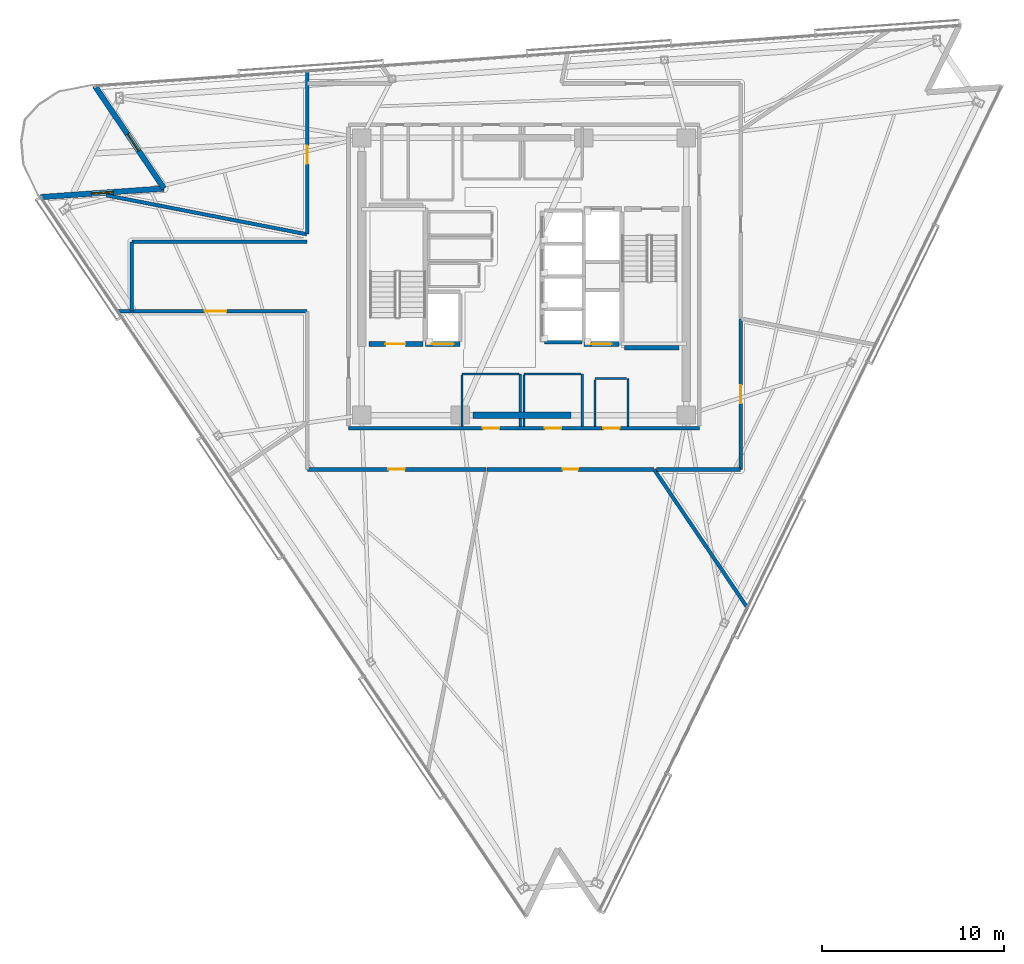
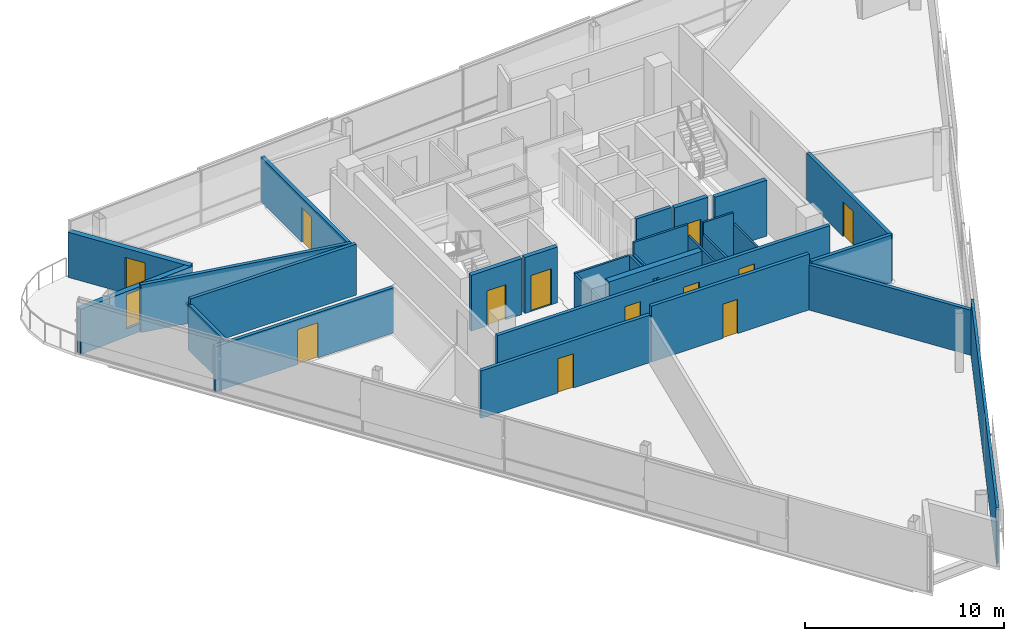
# One storey, part 9 of 16: 31 walls, 12 doors, 1 window, 13 openings.
"""IFC4 building model written with IfcOpenShell, lengths in metres."""

import ifcopenshell
import ifcopenshell.guid

model = None  # the IFC model being written
_history = None  # IfcOwnerHistory: only IFC2X3 demands one
_inside = {}  # id of a spatial element -> (the spatial element, [elements in it])
_under = {}  # id of a project, library or spatial element -> (it, [spatial elements below it])
_declared = {}  # id of a project -> (the project, [libraries it declares])
_typed = {}  # id of a type object -> (the type object, [elements of that type])
_made_of = {}  # id of a material, layer set ... -> (it, [elements and type objects made of it])


def new_model(schema):
    """Start an empty IFC model of exactly this schema.

    Asked for "IFC4X3", IfcOpenShell would pick the latest addendum, in which some entities
    have other attributes; the version numbers below select the first issue.
    IFC2X3 requires an IfcOwnerHistory on every rooted entity: one is made here for all.
    """
    global model, _history
    if schema == "IFC4X3":
        model = ifcopenshell.file(schema_version=(4, 3, 0, 0))
    else:
        model = ifcopenshell.file(schema=schema)
    _inside.clear()
    _under.clear()
    _declared.clear()
    _typed.clear()
    _made_of.clear()
    _history = None
    if model.schema == "IFC2X3":
        org = make("IfcOrganization", Name="unknown")
        user = make(
            "IfcPersonAndOrganization",
            ThePerson=make("IfcPerson", FamilyName="unknown"),
            TheOrganization=org,
        )
        app = make(
            "IfcApplication",
            ApplicationDeveloper=org,
            Version="unknown",
            ApplicationFullName="unknown",
            ApplicationIdentifier="unknown",
        )
        _history = make(
            "IfcOwnerHistory",
            OwningUser=user,
            OwningApplication=app,
            ChangeAction="ADDED",
            CreationDate=0,
        )
    return model


def make(cls, **values):
    """One entity of the class cls with the attributes given. An attribute that is None is left unset."""
    return model.create_entity(
        cls, **{name: value for name, value in values.items() if value is not None}
    )


def rooted(cls, **values):
    """An entity with a GlobalId (a new one), such as an element, a storey or a relation."""
    return make(cls, GlobalId=ifcopenshell.guid.new(), OwnerHistory=_history, **values)


def si_unit(unit_type, name, prefix=None):
    """IfcSIUnit, for example si_unit("LENGTHUNIT", "METRE", prefix="MILLI")."""
    return make("IfcSIUnit", UnitType=unit_type, Prefix=prefix, Name=name)


def assignment(units):
    """IfcUnitAssignment: the units of a project."""
    return None if units is None else make("IfcUnitAssignment", Units=units)


def point(xyz):
    """IfcCartesianPoint."""
    return None if xyz is None else make("IfcCartesianPoint", Coordinates=xyz)


def direction(xyz):
    """IfcDirection."""
    return None if xyz is None else make("IfcDirection", DirectionRatios=xyz)


def frame(location, z_axis=None, x_axis=None):
    """IfcAxis2Placement3D, a coordinate frame: its origin and axes. An axis left out is left unset."""
    return make(
        "IfcAxis2Placement3D",
        Location=point(location),
        Axis=direction(z_axis),
        RefDirection=direction(x_axis),
    )


def frame_2d(location, x_axis=None):
    """IfcAxis2Placement2D, a coordinate frame in the plane: its origin and x axis."""
    return make(
        "IfcAxis2Placement2D", Location=point(location), RefDirection=direction(x_axis)
    )


def origin():
    """The frame at (0, 0, 0) with its axes left unset."""
    return frame((0.0, 0.0, 0.0))


def place(relative_to, where):
    """IfcLocalPlacement: puts the frame where relative to a parent placement (None: the world)."""
    return make(
        "IfcLocalPlacement", PlacementRelTo=relative_to, RelativePlacement=where
    )


def context(
    kind, dimensions, precision=None, world=None, true_north=None, identifier=None
):
    """IfcGeometricRepresentationContext, for example the 3D "Model" context."""
    return make(
        "IfcGeometricRepresentationContext",
        ContextIdentifier=identifier,
        ContextType=kind,
        CoordinateSpaceDimension=dimensions,
        Precision=precision,
        WorldCoordinateSystem=world,
        TrueNorth=true_north,
    )


def subcontext(parent, identifier, kind, view, scale=None):
    """IfcGeometricRepresentationSubContext, for example "Body" below "Model"."""
    return make(
        "IfcGeometricRepresentationSubContext",
        ContextIdentifier=identifier,
        ContextType=kind,
        ParentContext=parent,
        TargetScale=scale,
        TargetView=view,
    )


def project(units=None, contexts=None):
    """IfcProject with its units and contexts."""
    return rooted(
        "IfcProject",
        Name="project",
        RepresentationContexts=contexts,
        UnitsInContext=assignment(units),
    )


def spatial(cls, under=None, at=None, **own):
    """A site, building, storey or space (cls), placed at a placement, below another one or the project."""
    s = rooted(cls, ObjectPlacement=at, **own)
    if under is not None:
        _under.setdefault(under.id(), (under, []))[1].append(s)
    return s


def profile(cls, at=None, kind="AREA", **sizes):
    """A parametric profile (cls). Its sizes go by their IFC names, for example OverallWidth=200.0."""
    return make(cls, ProfileType=kind, Position=at, **sizes)


def rectangle(**sizes):
    """IfcRectangleProfileDef."""
    return profile("IfcRectangleProfileDef", **sizes)


def extrude(swept, where, along, depth):
    """IfcExtrudedAreaSolid: the profile swept, set in the frame where, extruded along a direction by depth."""
    return make(
        "IfcExtrudedAreaSolid",
        SweptArea=swept,
        Position=where,
        ExtrudedDirection=direction(along),
        Depth=depth,
    )


def shape(context_of_items, identifier, shape_type, items):
    """IfcShapeRepresentation: the items that make up one representation, for example the "Body"."""
    return make(
        "IfcShapeRepresentation",
        ContextOfItems=context_of_items,
        RepresentationIdentifier=identifier,
        RepresentationType=shape_type,
        Items=items,
    )


def material(Name=None, Category=None):
    """IfcMaterial."""
    return make("IfcMaterial", Name=Name, Category=Category)


def layer(
    of_material, thickness, ventilated=None, Name=None, Category=None, Priority=None
):
    """IfcMaterialLayer: one layer of a wall or slab, of a material (None: an air gap)."""
    return make(
        "IfcMaterialLayer",
        Material=of_material,
        LayerThickness=thickness,
        IsVentilated=ventilated,
        Name=Name,
        Category=Category,
        Priority=Priority,
    )


def layer_set(layers, Name=None):
    """IfcMaterialLayerSet."""
    return make("IfcMaterialLayerSet", MaterialLayers=layers, LayerSetName=Name)


def made_of(thing, what):
    """Note that an element or type object is made of a material, layer set ...; save() writes the relation."""
    if what is not None:
        _made_of.setdefault(what.id(), (what, []))[1].append(thing)
    return thing


def type_object(cls, material=None, **own):
    """A type object (cls), such as IfcWallType, which elements share."""
    return made_of(rooted(cls, **own), material)


def element(
    cls,
    number,
    at=None,
    inside=None,
    cuts=None,
    type_object=None,
    material=None,
    context=None,
    identifier="Body",
    shape_type=None,
    held_by="IfcProductDefinitionShape",
    body=None,
    shapes=None,
    **own,
):
    """One element of the class cls, such as IfcWall. Its Tag is "e" and its number.

    at: its placement. inside: the storey or other place that contains it. cuts: it is an
    opening in that element (IfcRelVoidsElement). A single representation is given by context,
    identifier, shape_type and body (its items); several are given by shapes. held_by: the class
    of the entity that holds the representations. save() writes the other relations.
    """
    e = rooted(cls, Tag="e%d" % number, ObjectPlacement=at, **own)
    if body is not None:
        shapes = [shape(context, identifier, shape_type, body)]
    if shapes is not None:
        e.Representation = make(held_by, Representations=shapes)
    if inside is not None:
        _inside.setdefault(inside.id(), (inside, []))[1].append(e)
    if cuts is not None:
        rooted(
            "IfcRelVoidsElement", RelatingBuildingElement=cuts, RelatedOpeningElement=e
        )
    if type_object is not None:
        _typed.setdefault(type_object.id(), (type_object, []))[1].append(e)
    return made_of(e, material)


def fill(opening, filler):
    """IfcRelFillsElement: the door or window that sits in an opening."""
    return rooted(
        "IfcRelFillsElement",
        RelatingOpeningElement=opening,
        RelatedBuildingElement=filler,
    )


def aggregate(whole, parts):
    """IfcRelAggregates: a whole, such as a stair, and the parts it consists of."""
    return rooted("IfcRelAggregates", RelatingObject=whole, RelatedObjects=parts)


def save(model, path):
    """Write the relations noted so far, then the file.

    IfcRelAggregates (storeys below a building ...), IfcRelContainedInSpatialStructure (elements
    in a storey), IfcRelDefinesByType, IfcRelAssociatesMaterial and IfcRelDeclares: one each for
    every whole, place, type object, material and project.
    """
    for whole, parts in _under.values():
        aggregate(whole, parts)
    for where, things in _inside.values():
        rooted(
            "IfcRelContainedInSpatialStructure",
            RelatedElements=things,
            RelatingStructure=where,
        )
    for kind, things in _typed.values():
        rooted("IfcRelDefinesByType", RelatedObjects=things, RelatingType=kind)
    for what, things in _made_of.values():
        rooted("IfcRelAssociatesMaterial", RelatedObjects=things, RelatingMaterial=what)
    for by, libraries in _declared.values():
        rooted("IfcRelDeclares", RelatingContext=by, RelatedDefinitions=libraries)
    model.write(path)


model = new_model("IFC4")

# Units and contexts
model_context = context("Model", 3, precision=1e-05, world=origin(), true_north=direction((0.0, 1.0)))
body_context = subcontext(model_context, "Body", "Model", "MODEL_VIEW")
ifc_project = project(units=[si_unit("LENGTHUNIT", "METRE"), si_unit("AREAUNIT", "SQUARE_METRE"), si_unit("VOLUMEUNIT", "CUBIC_METRE"), si_unit("PLANEANGLEUNIT", "RADIAN"), si_unit("MASSUNIT", "GRAM", prefix="KILO")], contexts=[model_context])

# Site, building, storey
site_placement = place(None, origin())
site = spatial("IfcSite", under=ifc_project, at=site_placement, CompositionType="ELEMENT")
building_placement = place(site_placement, origin())
building = spatial("IfcBuilding", under=site, at=building_placement, Name="Tharavind Bronze Gate", CompositionType="ELEMENT")
storey_placement = place(building_placement, frame((0.0, 0.0, 264.199951171875)))
storey = spatial("IfcBuildingStorey", under=building, at=storey_placement, Name="L68", CompositionType="ELEMENT", Elevation=264.199951171875)

# Wall, opening, door
ifc_material_1 = material(Name="Concrete C40/50", Category="concrete")
ifc_layer_1 = layer(ifc_material_1, 0.300048828125)
ifc_layer_set_1 = layer_set([ifc_layer_1], Name="Concrete C40/50")
wall_type_1 = type_object("IfcWallType", Name="EXTERIOR SPANDREL WALL 300", PredefinedType="STANDARD", material=ifc_layer_set_1)
wall_1_placement = place(storey_placement, frame((-23.52587890625, 10.446044921875, 0.0), z_axis=(0.0, 0.0, 1.0), x_axis=(0.559187716425, -0.829041071238, 0.0)))
wall_1 = element("IfcWall", 1, at=wall_1_placement, inside=storey, type_object=wall_type_1, Name="L68 notch cheek wall 1A", PredefinedType="STANDARD", context=body_context, shape_type="SweptSolid", body=[
    extrude(rectangle(XDim=6.780029296875, YDim=0.300048828125, at=frame_2d((3.39013671875, 0.0))), origin(), (0.0, 0.0, 1.0), 2.76513671875),
])
opening_1_placement = place(wall_1_placement, frame((3.18603515625, 0.0, 0.0)))
opening_1 = element("IfcOpeningElement", 2, at=opening_1_placement, cuts=wall_1, Name="Opening ED04", PredefinedType="OPENING", context=body_context, shape_type="SweptSolid", body=[
    extrude(rectangle(XDim=1.10009765625, YDim=2.199951171875, at=frame_2d((0.550048828125, 1.10009765625))), frame((0.0, 0.15990234375, 0.0), z_axis=(0.0, -1.0, 0.0), x_axis=(1.0, 0.0, 0.0)), (0.0, 0.0, 1.0), 0.320048828125),
])
ifc_material_2 = material(Name="Bronze Aluminium & Toughened Glass", Category="aluminium")
door_type_1 = type_object("IfcDoorType", Name="TREE BALCONY ACCESS DOOR 1100X2200", OperationType="SINGLE_SWING_LEFT", PredefinedType="DOOR", material=ifc_material_2)
door_1_placement = place(opening_1_placement, origin())
door_1 = element("IfcDoor", 3, at=door_1_placement, inside=storey, type_object=door_type_1, Name="L68 tree balcony access door", OperationType="SINGLE_SWING_LEFT", OverallHeight=2.199951171875, OverallWidth=1.10009765625, PredefinedType="DOOR", context=body_context, shape_type="SweptSolid", body=[
    extrude(rectangle(XDim=1.10009765625, YDim=2.199951171875, at=frame_2d((0.550048828125, 1.10009765625))), frame((0.0, 0.02490234375, 0.0), z_axis=(0.0, -1.0, 0.0), x_axis=(1.0, 0.0, 0.0)), (0.0, 0.0, 1.0), 0.050048828125),
])
fill(opening_1, door_1)

# Wall, opening, window
wall_2_placement = place(storey_placement, frame((-19.734619140625, 4.8251953125, 0.0), z_axis=(0.0, 0.0, 1.0), x_axis=(-0.997564507468, -0.06974993506, 0.0)))
wall_2 = element("IfcWall", 4, at=wall_2_placement, inside=storey, type_object=wall_type_1, Name="L68 notch cheek wall 1B", PredefinedType="STANDARD", context=body_context, shape_type="SweptSolid", body=[
    extrude(rectangle(XDim=6.780029296875, YDim=0.300048828125, at=frame_2d((3.39013671875, 0.0))), origin(), (0.0, 0.0, 1.0), 2.76513671875),
])
opening_2_placement = place(wall_2_placement, frame((2.7900390625, 0.0, 0.485107421875)))
opening_2 = element("IfcOpeningElement", 5, at=opening_2_placement, cuts=wall_2, Name="Opening W01", PredefinedType="OPENING", context=body_context, shape_type="SweptSolid", body=[
    extrude(rectangle(XDim=1.199951171875, YDim=2.10009765625, at=frame_2d((0.60009765625, 1.050048828125))), frame((0.0, 0.15990234375, 0.0), z_axis=(0.0, -1.0, 0.0), x_axis=(1.0, 0.0, 0.0)), (0.0, 0.0, 1.0), 0.320048828125),
])
ifc_material_3 = material(Name="Bronze Aluminium & Low-E Glass", Category="aluminium")
window_type = type_object("IfcWindowType", Name="FIXED BRONZE CASEMENT WINDOW 1200X2100", PartitioningType="SINGLE_PANEL", PredefinedType="WINDOW", material=ifc_material_3)
window_placement = place(opening_2_placement, origin())
window = element("IfcWindow", 6, at=window_placement, inside=storey, type_object=window_type, Name="L68 exterior window WL-L68-NCA1-01", OverallHeight=2.10009765625, OverallWidth=1.199951171875, PartitioningType="SINGLE_PANEL", PredefinedType="WINDOW", context=body_context, shape_type="SweptSolid", body=[
    extrude(rectangle(XDim=1.199951171875, YDim=2.10009765625, at=frame_2d((0.60009765625, 1.050048828125))), frame((0.0, 0.030029296875, 0.0), z_axis=(0.0, -1.0, 0.0), x_axis=(1.0, 0.0, 0.0)), (0.0, 0.0, 1.0), 0.06005859375),
])
fill(opening_2, window)

# Wall, openings, doors
ifc_material_4 = material(Name="Aerated Concrete Block", Category="concrete")
ifc_layer_2 = layer(ifc_material_4, 0.199951171875)
ifc_layer_set_2 = layer_set([ifc_layer_2], Name="Aerated Concrete Block")
wall_type_2 = type_object("IfcWallType", Name="FIRE RATED PARTITION 200", PredefinedType="PARTITIONING", material=ifc_layer_set_2)
wall_3_placement = place(storey_placement, frame((-9.6201171875, -8.320068359375, 0.0), z_axis=(0.0, 0.0, 1.0), x_axis=(1.0, 0.0, 0.0)))
wall_3 = element("IfcWall", 7, at=wall_3_placement, inside=storey, type_object=wall_type_2, Name="L68 south core corridor wall", PredefinedType="PARTITIONING", context=body_context, shape_type="SweptSolid", body=[
    extrude(rectangle(XDim=19.240234375, YDim=0.199951171875, at=frame_2d((9.6201171875, 0.0))), origin(), (0.0, 0.0, 1.0), 2.9150390625),
])
opening_3_placement = place(wall_3_placement, frame((7.3701171875, 0.0, 0.0)))
opening_3 = element("IfcOpeningElement", 8, at=opening_3_placement, cuts=wall_3, Name="Opening ID07", PredefinedType="OPENING", context=body_context, shape_type="SweptSolid", body=[
    extrude(rectangle(XDim=0.89990234375, YDim=2.10009765625, at=frame_2d((0.449951171875, 1.050048828125))), frame((0.0, 0.11009765625, 0.0), z_axis=(0.0, -1.0, 0.0), x_axis=(1.0, 0.0, 0.0)), (0.0, 0.0, 1.0), 0.219951171875),
])
opening_4_placement = place(wall_3_placement, frame((10.77001953125, 0.0, 0.0)))
opening_4 = element("IfcOpeningElement", 9, at=opening_4_placement, cuts=wall_3, Name="Opening ID07", PredefinedType="OPENING", context=body_context, shape_type="SweptSolid", body=[
    extrude(rectangle(XDim=0.89990234375, YDim=2.10009765625, at=frame_2d((0.449951171875, 1.050048828125))), frame((0.0, 0.11009765625, 0.0), z_axis=(0.0, -1.0, 0.0), x_axis=(1.0, 0.0, 0.0)), (0.0, 0.0, 1.0), 0.219951171875),
])
opening_5_placement = place(wall_3_placement, frame((13.969970703125, 0.0, 0.0)))
opening_5 = element("IfcOpeningElement", 10, at=opening_5_placement, cuts=wall_3, Name="Opening ID07", PredefinedType="OPENING", context=body_context, shape_type="SweptSolid", body=[
    extrude(rectangle(XDim=0.89990234375, YDim=2.10009765625, at=frame_2d((0.449951171875, 1.050048828125))), frame((0.0, 0.11009765625, 0.0), z_axis=(0.0, -1.0, 0.0), x_axis=(1.0, 0.0, 0.0)), (0.0, 0.0, 1.0), 0.219951171875),
])
ifc_material_5 = material(Name="Galvanised Fire Steel", Category="steel")
door_type_2 = type_object("IfcDoorType", Name="PLANT AND RISER FIRE DOOR 900X2100", OperationType="SINGLE_SWING_LEFT", PredefinedType="DOOR", material=ifc_material_5)
door_2_placement = place(opening_3_placement, frame((0.89990234375, 0.0, 0.0), z_axis=(0.0, 0.0, 1.0), x_axis=(-1.0, 0.0, 0.0)))
door_2 = element("IfcDoor", 11, at=door_2_placement, inside=storey, type_object=door_type_2, Name="L68 Core Archive Store fire door", OperationType="SINGLE_SWING_LEFT", OverallHeight=2.10009765625, OverallWidth=0.89990234375, PredefinedType="DOOR", context=body_context, shape_type="SweptSolid", body=[
    extrude(rectangle(XDim=0.89990234375, YDim=2.10009765625, at=frame_2d((0.449951171875, 1.050048828125))), frame((0.0, 0.02490234375, 0.0), z_axis=(0.0, -1.0, 0.0), x_axis=(1.0, 0.0, 0.0)), (0.0, 0.0, 1.0), 0.050048828125),
])
fill(opening_3, door_2)
door_3_placement = place(opening_4_placement, frame((0.89990234375, 0.0, 0.0), z_axis=(0.0, 0.0, 1.0), x_axis=(-1.0, 0.0, 0.0)))
door_3 = element("IfcDoor", 12, at=door_3_placement, inside=storey, type_object=door_type_2, Name="L68 Core Server Room fire door", OperationType="SINGLE_SWING_LEFT", OverallHeight=2.10009765625, OverallWidth=0.89990234375, PredefinedType="DOOR", context=body_context, shape_type="SweptSolid", body=[
    extrude(rectangle(XDim=0.89990234375, YDim=2.10009765625, at=frame_2d((0.449951171875, 1.050048828125))), frame((0.0, 0.02490234375, 0.0), z_axis=(0.0, -1.0, 0.0), x_axis=(1.0, 0.0, 0.0)), (0.0, 0.0, 1.0), 0.050048828125),
])
fill(opening_4, door_3)
door_4_placement = place(opening_5_placement, frame((0.89990234375, 0.0, 0.0), z_axis=(0.0, 0.0, 1.0), x_axis=(-1.0, 0.0, 0.0)))
door_4 = element("IfcDoor", 13, at=door_4_placement, inside=storey, type_object=door_type_2, Name="L68 Janitor Store Cupboard fire door", OperationType="SINGLE_SWING_LEFT", OverallHeight=2.10009765625, OverallWidth=0.89990234375, PredefinedType="DOOR", context=body_context, shape_type="SweptSolid", body=[
    extrude(rectangle(XDim=0.89990234375, YDim=2.10009765625, at=frame_2d((0.449951171875, 1.050048828125))), frame((0.0, 0.02490234375, 0.0), z_axis=(0.0, -1.0, 0.0), x_axis=(1.0, 0.0, 0.0)), (0.0, 0.0, 1.0), 0.050048828125),
])
fill(opening_5, door_4)

# Wall, opening, door
wall_4_placement = place(storey_placement, frame((-2.035888671875, -10.580078125, 0.0), z_axis=(0.0, 0.0, 1.0), x_axis=(1.0, 0.0, 0.0)))
wall_4 = element("IfcWall", 14, at=wall_4_placement, inside=storey, type_object=wall_type_2, Name="L68 Public Restrooms Block partition", PredefinedType="PARTITIONING", context=body_context, shape_type="SweptSolid", body=[
    extrude(rectangle(XDim=9.158935546875, YDim=0.199951171875, at=frame_2d((4.57958984375, 0.0))), origin(), (0.0, 0.0, 1.0), 3.420166015625),
])
opening_6_placement = place(wall_4_placement, frame((4.154052734375, 0.0, 0.0)))
opening_6 = element("IfcOpeningElement", 15, at=opening_6_placement, cuts=wall_4, Name="Opening ID06", PredefinedType="OPENING", context=body_context, shape_type="SweptSolid", body=[
    extrude(rectangle(XDim=0.85009765625, YDim=2.10009765625, at=frame_2d((0.425048828125, 1.050048828125))), frame((0.0, 0.11009765625, 0.0), z_axis=(0.0, -1.0, 0.0), x_axis=(1.0, 0.0, 0.0)), (0.0, 0.0, 1.0), 0.219951171875),
])
ifc_material_6 = material(Name="Moisture-Resistant Timber", Category="wood")
door_type_3 = type_object("IfcDoorType", Name="BATHROOM PRIVACY DOOR 850X2100", OperationType="SINGLE_SWING_RIGHT", PredefinedType="DOOR", material=ifc_material_6)
door_5_placement = place(opening_6_placement, origin())
door_5 = element("IfcDoor", 16, at=door_5_placement, inside=storey, type_object=door_type_3, Name="L68 Public Restrooms Block door", OperationType="SINGLE_SWING_RIGHT", OverallHeight=2.10009765625, OverallWidth=0.85009765625, PredefinedType="DOOR", context=body_context, shape_type="SweptSolid", body=[
    extrude(rectangle(XDim=0.85009765625, YDim=2.10009765625, at=frame_2d((0.425048828125, 1.050048828125))), frame((0.0, 0.02490234375, 0.0), z_axis=(0.0, -1.0, 0.0), x_axis=(1.0, 0.0, 0.0)), (0.0, 0.0, 1.0), 0.050048828125),
])
fill(opening_6, door_5)

# Wall
wall_5_placement = place(storey_placement, frame((7.143798828125, -10.591064453125, 0.0), z_axis=(0.0, 0.0, 1.0), x_axis=(0.559200870539, -0.829032198644, 0.0)))
element("IfcWall", 17, at=wall_5_placement, inside=storey, type_object=wall_type_2, Name="L68 Public Restrooms Block partition", PredefinedType="PARTITIONING", context=body_context, shape_type="SweptSolid", body=[
    extrude(rectangle(XDim=9.0966796875, YDim=0.199951171875, at=frame_2d((4.54833984375, 0.0))), origin(), (0.0, 0.0, 1.0), 2.76513671875),
])

# Wall, opening, door
wall_6_placement = place(storey_placement, frame((-11.8798828125, 11.260498046875, 0.0), z_axis=(0.0, 0.0, 1.0), x_axis=(0.0, -1.0, 0.0)))
wall_6 = element("IfcWall", 18, at=wall_6_placement, inside=storey, type_object=wall_type_2, Name="L68 Model Workshop Lab partition", PredefinedType="PARTITIONING", context=body_context, shape_type="SweptSolid", body=[
    extrude(rectangle(XDim=8.9208984375, YDim=0.199951171875, at=frame_2d((4.46044921875, 0.0))), origin(), (0.0, 0.0, 1.0), 2.76513671875),
])
opening_7_placement = place(wall_6_placement, frame((4.091064453125, 0.0, 0.0)))
opening_7 = element("IfcOpeningElement", 19, at=opening_7_placement, cuts=wall_6, Name="Opening ID04", PredefinedType="OPENING", context=body_context, shape_type="SweptSolid", body=[
    extrude(rectangle(XDim=1.0, YDim=2.14990234375, at=frame_2d((0.5, 1.074951171875))), frame((0.0, 0.11009765625, 0.0), z_axis=(0.0, -1.0, 0.0), x_axis=(1.0, 0.0, 0.0)), (0.0, 0.0, 1.0), 0.219951171875),
])
ifc_material_7 = material(Name="Bronze Framed Acoustic Timber", Category="wood")
door_type_4 = type_object("IfcDoorType", Name="OFFICE TENANCY DOOR 1000X2150", OperationType="SINGLE_SWING_RIGHT", PredefinedType="DOOR", material=ifc_material_7)
door_6_placement = place(opening_7_placement, origin())
door_6 = element("IfcDoor", 20, at=door_6_placement, inside=storey, type_object=door_type_4, Name="L68 Model Workshop Lab door", OperationType="SINGLE_SWING_RIGHT", OverallHeight=2.14990234375, OverallWidth=1.0, PredefinedType="DOOR", context=body_context, shape_type="SweptSolid", body=[
    extrude(rectangle(XDim=1.0, YDim=2.14990234375, at=frame_2d((0.5, 1.074951171875))), frame((0.0, 0.02490234375, 0.0), z_axis=(0.0, -1.0, 0.0), x_axis=(1.0, 0.0, 0.0)), (0.0, 0.0, 1.0), 0.050048828125),
])
fill(opening_7, door_6)

# Walls
wall_7_placement = place(storey_placement, frame((-11.909912109375, 2.31494140625, 0.0), z_axis=(0.0, 0.0, 1.0), x_axis=(-0.981625839426, 0.190815909638, 0.0)))
element("IfcWall", 21, at=wall_7_placement, inside=storey, type_object=wall_type_2, Name="L68 Model Workshop Lab partition", PredefinedType="PARTITIONING", context=body_context, shape_type="SweptSolid", body=[
    extrude(rectangle(XDim=11.18505859375, YDim=0.199951171875, at=frame_2d((5.592529296875, 0.0))), origin(), (0.0, 0.0, 1.0), 2.9150390625),
])
wall_8_placement = place(storey_placement, frame((-11.905029296875, 1.89990234375, 0.0), z_axis=(0.0, 0.0, 1.0), x_axis=(-1.0, 0.0, 0.0)))
element("IfcWall", 22, at=wall_8_placement, inside=storey, type_object=wall_type_2, Name="L68 Pin-Up Review Room partition", PredefinedType="PARTITIONING", context=body_context, shape_type="SweptSolid", body=[
    extrude(rectangle(XDim=9.594482421875, YDim=0.199951171875, at=frame_2d((4.79736328125, 0.0))), origin(), (0.0, 0.0, 1.0), 3.114990234375),
])
wall_9_placement = place(storey_placement, frame((-21.5, 1.8994140625, 0.0), z_axis=(0.0, 0.0, 1.0), x_axis=(0.0, -1.0, 0.0)))
element("IfcWall", 23, at=wall_9_placement, inside=storey, type_object=wall_type_2, Name="L68 Pin-Up Review Room partition", PredefinedType="PARTITIONING", context=body_context, shape_type="SweptSolid", body=[
    extrude(rectangle(XDim=3.798828125, YDim=0.199951171875, at=frame_2d((1.8994140625, 0.0))), origin(), (0.0, 0.0, 1.0), 2.76513671875),
])

# Wall, opening, door
wall_10_placement = place(storey_placement, frame((-22.281005859375, -1.89990234375, 0.0), z_axis=(0.0, 0.0, 1.0), x_axis=(1.0, 0.0, 0.0)))
wall_10 = element("IfcWall", 24, at=wall_10_placement, inside=storey, type_object=wall_type_2, Name="L68 Pin-Up Review Room partition", PredefinedType="PARTITIONING", context=body_context, shape_type="SweptSolid", body=[
    extrude(rectangle(XDim=10.3759765625, YDim=0.199951171875, at=frame_2d((5.18798828125, 0.0))), origin(), (0.0, 0.0, 1.0), 2.76513671875),
])
opening_8_placement = place(wall_10_placement, frame((4.76806640625, 0.0, 0.0)))
opening_8 = element("IfcOpeningElement", 25, at=opening_8_placement, cuts=wall_10, Name="Opening ID05", PredefinedType="OPENING", context=body_context, shape_type="SweptSolid", body=[
    extrude(rectangle(XDim=1.199951171875, YDim=2.14990234375, at=frame_2d((0.60009765625, 1.074951171875))), frame((0.0, 0.11009765625, 0.0), z_axis=(0.0, -1.0, 0.0), x_axis=(1.0, 0.0, 0.0)), (0.0, 0.0, 1.0), 0.219951171875),
])
ifc_material_8 = material(Name="Acoustic Laminated Glass", Category="glass")
door_type_5 = type_object("IfcDoorType", Name="MEETING ROOM GLAZED DOOR 1200X2150", OperationType="SINGLE_SWING_LEFT", PredefinedType="DOOR", material=ifc_material_8)
door_7_placement = place(opening_8_placement, origin())
door_7 = element("IfcDoor", 26, at=door_7_placement, inside=storey, type_object=door_type_5, Name="L68 Pin-Up Review Room door", OperationType="SINGLE_SWING_LEFT", OverallHeight=2.14990234375, OverallWidth=1.199951171875, PredefinedType="DOOR", context=body_context, shape_type="SweptSolid", body=[
    extrude(rectangle(XDim=1.199951171875, YDim=2.14990234375, at=frame_2d((0.60009765625, 1.074951171875))), frame((0.0, 0.02490234375, 0.0), z_axis=(0.0, -1.0, 0.0), x_axis=(1.0, 0.0, 0.0)), (0.0, 0.0, 1.0), 0.050048828125),
])
fill(opening_8, door_7)

wall_11_placement = place(storey_placement, frame((-11.87939453125, -10.580078125, 0.0), z_axis=(0.0, 0.0, 1.0), x_axis=(1.0, 0.0, 0.0)))
wall_11 = element("IfcWall", 27, at=wall_11_placement, inside=storey, type_object=wall_type_2, Name="L68 Material Archive Store partition", PredefinedType="PARTITIONING", context=body_context, shape_type="SweptSolid", body=[
    extrude(rectangle(XDim=9.79248046875, YDim=0.199951171875, at=frame_2d((4.896240234375, 0.0))), origin(), (0.0, 0.0, 1.0), 2.9150390625),
])
opening_9_placement = place(wall_11_placement, frame((4.446044921875, 0.0, 0.0)))
opening_9 = element("IfcOpeningElement", 28, at=opening_9_placement, cuts=wall_11, Name="Opening ID07", PredefinedType="OPENING", context=body_context, shape_type="SweptSolid", body=[
    extrude(rectangle(XDim=0.89990234375, YDim=2.10009765625, at=frame_2d((0.449951171875, 1.050048828125))), frame((0.0, 0.11009765625, 0.0), z_axis=(0.0, -1.0, 0.0), x_axis=(1.0, 0.0, 0.0)), (0.0, 0.0, 1.0), 0.219951171875),
])
door_8_placement = place(opening_9_placement, origin())
door_8 = element("IfcDoor", 29, at=door_8_placement, inside=storey, type_object=door_type_2, Name="L68 Material Archive Store door", OperationType="SINGLE_SWING_LEFT", OverallHeight=2.10009765625, OverallWidth=0.89990234375, PredefinedType="DOOR", context=body_context, shape_type="SweptSolid", body=[
    extrude(rectangle(XDim=0.89990234375, YDim=2.10009765625, at=frame_2d((0.449951171875, 1.050048828125))), frame((0.0, 0.02490234375, 0.0), z_axis=(0.0, -1.0, 0.0), x_axis=(1.0, 0.0, 0.0)), (0.0, 0.0, 1.0), 0.050048828125),
])
fill(opening_9, door_8)

wall_12_placement = place(storey_placement, frame((11.8798828125, -10.579345703125, 0.0), z_axis=(0.0, 0.0, 1.0), x_axis=(0.0, 1.0, 0.0)))
wall_12 = element("IfcWall", 30, at=wall_12_placement, inside=storey, type_object=wall_type_2, Name="L68 Urban Design Open Office partition", PredefinedType="PARTITIONING", context=body_context, shape_type="SweptSolid", body=[
    extrude(rectangle(XDim=8.23974609375, YDim=0.199951171875, at=frame_2d((4.119873046875, 0.0))), origin(), (0.0, 0.0, 1.0), 2.9150390625),
])
opening_10_placement = place(wall_12_placement, frame((3.6201171875, 0.0, 0.0)))
opening_10 = element("IfcOpeningElement", 31, at=opening_10_placement, cuts=wall_12, Name="Opening ID04", PredefinedType="OPENING", context=body_context, shape_type="SweptSolid", body=[
    extrude(rectangle(XDim=1.0, YDim=2.14990234375, at=frame_2d((0.5, 1.074951171875))), frame((0.0, 0.11009765625, 0.0), z_axis=(0.0, -1.0, 0.0), x_axis=(1.0, 0.0, 0.0)), (0.0, 0.0, 1.0), 0.219951171875),
])
door_9_placement = place(opening_10_placement, origin())
door_9 = element("IfcDoor", 32, at=door_9_placement, inside=storey, type_object=door_type_4, Name="L68 Urban Design Open Office door", OperationType="SINGLE_SWING_RIGHT", OverallHeight=2.14990234375, OverallWidth=1.0, PredefinedType="DOOR", context=body_context, shape_type="SweptSolid", body=[
    extrude(rectangle(XDim=1.0, YDim=2.14990234375, at=frame_2d((0.5, 1.074951171875))), frame((0.0, 0.02490234375, 0.0), z_axis=(0.0, -1.0, 0.0), x_axis=(1.0, 0.0, 0.0)), (0.0, 0.0, 1.0), 0.050048828125),
])
fill(opening_10, door_9)

# Walls
wall_13_placement = place(storey_placement, frame((7.262939453125, -10.580078125, 0.0), z_axis=(0.0, 0.0, 1.0), x_axis=(1.0, 0.0, 0.0)))
element("IfcWall", 33, at=wall_13_placement, inside=storey, type_object=wall_type_2, Name="L68 Urban Design Open Office partition", PredefinedType="PARTITIONING", context=body_context, shape_type="SweptSolid", body=[
    extrude(rectangle(XDim=4.616455078125, YDim=0.199951171875, at=frame_2d((2.30810546875, 0.0))), origin(), (0.0, 0.0, 1.0), 2.9150390625),
])
ifc_material_9 = material(Name="Metal Stud Gypsum Partition", Category="gypsum")
ifc_layer_3 = layer(ifc_material_9, 0.1201171875)
ifc_layer_set_3 = layer_set([ifc_layer_3], Name="Metal Stud Gypsum Partition")
wall_type_3 = type_object("IfcWallType", Name="INTERIOR PARTITION WALL 120", PredefinedType="PARTITIONING", material=ifc_layer_set_3)
wall_14_placement = place(storey_placement, frame((-0.199951171875, -8.215087890625, 0.0), z_axis=(0.0, 0.0, 1.0), x_axis=(0.0, 1.0, 0.0)))
element("IfcWall", 34, at=wall_14_placement, inside=storey, type_object=wall_type_3, Name="L68 Core Archive Store partition 2", PredefinedType="PARTITIONING", context=body_context, shape_type="SweptSolid", body=[
    extrude(rectangle(XDim=0.43505859375, YDim=0.1201171875, at=frame_2d((0.217529296875, 0.0))), origin(), (0.0, 0.0, 1.0), 2.715087890625),
])
wall_15_placement = place(storey_placement, frame((-0.199951171875, -7.419921875, 0.0), z_axis=(0.0, 0.0, 1.0), x_axis=(0.0, 1.0, 0.0)))
element("IfcWall", 35, at=wall_15_placement, inside=storey, type_object=wall_type_3, Name="L68 Core Archive Store partition 2", PredefinedType="PARTITIONING", context=body_context, shape_type="SweptSolid", body=[
    extrude(rectangle(XDim=2.06982421875, YDim=0.1201171875, at=frame_2d((1.034912109375, 0.0))), origin(), (0.0, 0.0, 1.0), 2.715087890625),
])
wall_16_placement = place(storey_placement, frame((-0.264892578125, -5.35009765625, 0.0), z_axis=(0.0, 0.0, 1.0), x_axis=(-1.0, 0.0, 0.0)))
element("IfcWall", 36, at=wall_16_placement, inside=storey, type_object=wall_type_3, Name="L68 Core Archive Store partition 3", PredefinedType="PARTITIONING", context=body_context, shape_type="SweptSolid", body=[
    extrude(rectangle(XDim=3.135009765625, YDim=0.1201171875, at=frame_2d((1.5673828125, 0.0))), origin(), (0.0, 0.0, 1.0), 2.715087890625),
])
wall_17_placement = place(storey_placement, frame((-3.39990234375, -5.4150390625, 0.0), z_axis=(0.0, 0.0, 1.0), x_axis=(0.0, -1.0, 0.0)))
element("IfcWall", 37, at=wall_17_placement, inside=storey, type_object=wall_type_3, Name="L68 Core Archive Store partition 4", PredefinedType="PARTITIONING", context=body_context, shape_type="SweptSolid", body=[
    extrude(rectangle(XDim=2.800048828125, YDim=0.1201171875, at=frame_2d((1.39990234375, 0.0))), origin(), (0.0, 0.0, 1.0), 2.715087890625),
])
wall_18_placement = place(storey_placement, frame((3.199951171875, -8.215087890625, 0.0), z_axis=(0.0, 0.0, 1.0), x_axis=(0.0, 1.0, 0.0)))
element("IfcWall", 38, at=wall_18_placement, inside=storey, type_object=wall_type_3, Name="L68 Core Server Room partition 2", PredefinedType="PARTITIONING", context=body_context, shape_type="SweptSolid", body=[
    extrude(rectangle(XDim=2.864990234375, YDim=0.1201171875, at=frame_2d((1.4326171875, 0.0))), origin(), (0.0, 0.0, 1.0), 2.715087890625),
])
wall_19_placement = place(storey_placement, frame((3.135009765625, -5.35009765625, 0.0), z_axis=(0.0, 0.0, 1.0), x_axis=(-1.0, 0.0, 0.0)))
element("IfcWall", 39, at=wall_19_placement, inside=storey, type_object=wall_type_3, Name="L68 Core Server Room partition 3", PredefinedType="PARTITIONING", context=body_context, shape_type="SweptSolid", body=[
    extrude(rectangle(XDim=3.135009765625, YDim=0.1201171875, at=frame_2d((1.5673828125, 0.0))), origin(), (0.0, 0.0, 1.0), 3.420166015625),
])
wall_20_placement = place(storey_placement, frame((0.0, -5.4150390625, 0.0), z_axis=(0.0, 0.0, 1.0), x_axis=(0.0, -1.0, 0.0)))
element("IfcWall", 40, at=wall_20_placement, inside=storey, type_object=wall_type_3, Name="L68 Core Server Room partition 4", PredefinedType="PARTITIONING", context=body_context, shape_type="SweptSolid", body=[
    extrude(rectangle(XDim=2.0048828125, YDim=0.1201171875, at=frame_2d((1.00244140625, 0.0))), origin(), (0.0, 0.0, 1.0), 2.715087890625),
])
wall_21_placement = place(storey_placement, frame((0.0, -7.780029296875, 0.0), z_axis=(0.0, 0.0, 1.0), x_axis=(0.0, -1.0, 0.0)))
element("IfcWall", 41, at=wall_21_placement, inside=storey, type_object=wall_type_3, Name="L68 Core Server Room partition 4", PredefinedType="PARTITIONING", context=body_context, shape_type="SweptSolid", body=[
    extrude(rectangle(XDim=0.43505859375, YDim=0.1201171875, at=frame_2d((0.217529296875, 0.0))), origin(), (0.0, 0.0, 1.0), 2.715087890625),
])
wall_22_placement = place(storey_placement, frame((5.699951171875, -8.215087890625, 0.0), z_axis=(0.0, 0.0, 1.0), x_axis=(0.0, 1.0, 0.0)))
element("IfcWall", 42, at=wall_22_placement, inside=storey, type_object=wall_type_3, Name="L68 Janitor Store Cupboard partition 2", PredefinedType="PARTITIONING", context=body_context, shape_type="SweptSolid", body=[
    extrude(rectangle(XDim=2.614990234375, YDim=0.1201171875, at=frame_2d((1.3076171875, 0.0))), origin(), (0.0, 0.0, 1.0), 2.715087890625),
])
wall_23_placement = place(storey_placement, frame((5.635009765625, -5.60009765625, 0.0), z_axis=(0.0, 0.0, 1.0), x_axis=(-1.0, 0.0, 0.0)))
element("IfcWall", 43, at=wall_23_placement, inside=storey, type_object=wall_type_3, Name="L68 Janitor Store Cupboard partition 3", PredefinedType="PARTITIONING", context=body_context, shape_type="SweptSolid", body=[
    extrude(rectangle(XDim=1.735107421875, YDim=0.1201171875, at=frame_2d((0.86767578125, 0.0))), origin(), (0.0, 0.0, 1.0), 3.420166015625),
])
wall_24_placement = place(storey_placement, frame((3.89990234375, -5.6650390625, 0.0), z_axis=(0.0, 0.0, 1.0), x_axis=(0.0, -1.0, 0.0)))
element("IfcWall", 44, at=wall_24_placement, inside=storey, type_object=wall_type_3, Name="L68 Janitor Store Cupboard partition 4", PredefinedType="PARTITIONING", context=body_context, shape_type="SweptSolid", body=[
    extrude(rectangle(XDim=2.550048828125, YDim=0.1201171875, at=frame_2d((1.27490234375, 0.0))), origin(), (0.0, 0.0, 1.0), 2.715087890625),
])
ifc_material_10 = material(Name="Twin Stud Acoustic Gypsum", Category="gypsum")
ifc_layer_4 = layer(ifc_material_10, 0.14990234375)
ifc_layer_set_4 = layer_set([ifc_layer_4], Name="Twin Stud Acoustic Gypsum")
wall_type_4 = type_object("IfcWallType", Name="INTERIOR PARTITION WALL 150", PredefinedType="PARTITIONING", material=ifc_layer_set_4)
wall_25_placement = place(storey_placement, frame((12.232421875, -18.15771484375, 0.0), z_axis=(0.0, 0.0, 1.0), x_axis=(-0.438378934826, -0.898790247778, 0.0)))
element("IfcWall", 45, at=wall_25_placement, inside=storey, type_object=wall_type_4, Name="L68 Public Restrooms Block partition", PredefinedType="PARTITIONING", context=body_context, shape_type="SweptSolid", body=[
    extrude(rectangle(XDim=18.294677734375, YDim=0.14990234375, at=frame_2d((9.1474609375, 0.0))), origin(), (0.0, 0.0, 1.0), 3.420166015625),
])

# Wall, opening, door
ifc_material_11 = material(Name="Concrete C50/60", Category="concrete")
ifc_layer_5 = layer(ifc_material_11, 0.25)
ifc_layer_set_5 = layer_set([ifc_layer_5], Name="Concrete C50/60")
wall_type_5 = type_object("IfcWallType", Name="RC CORE SHEAR WALL 250", PredefinedType="SHEAR", material=ifc_layer_set_5)
wall_26_placement = place(storey_placement, frame((-8.5, -3.699951171875, 0.0), z_axis=(0.0, 0.0, 1.0), x_axis=(1.0, 0.0, 0.0)))
wall_26 = element("IfcWall", 46, at=wall_26_placement, inside=storey, type_object=wall_type_5, Name="L68 ST1 shaft south wall", PredefinedType="SHEAR", context=body_context, shape_type="SweptSolid", body=[
    extrude(rectangle(XDim=2.949951171875, YDim=0.25, at=frame_2d((1.47509765625, 0.0))), origin(), (0.0, 0.0, 1.0), 3.420166015625),
])
opening_11_placement = place(wall_26_placement, frame((0.89990234375, 0.0, 0.0)))
opening_11 = element("IfcOpeningElement", 47, at=opening_11_placement, cuts=wall_26, Name="Opening ID01", PredefinedType="OPENING", context=body_context, shape_type="SweptSolid", body=[
    extrude(rectangle(XDim=1.10009765625, YDim=2.14990234375, at=frame_2d((0.550048828125, 1.074951171875))), frame((0.0, 0.135, 0.0), z_axis=(0.0, -1.0, 0.0), x_axis=(1.0, 0.0, 0.0)), (0.0, 0.0, 1.0), 0.27),
])
ifc_material_12 = material(Name="Fire-Rated Steel", Category="steel")
door_type_6 = type_object("IfcDoorType", Name="STAIR CORE FIRE DOOR 1100X2150", OperationType="SINGLE_SWING_LEFT", PredefinedType="DOOR", material=ifc_material_12)
door_10_placement = place(opening_11_placement, origin())
door_10 = element("IfcDoor", 48, at=door_10_placement, inside=storey, type_object=door_type_6, Name="L68 exit stair ST1 fire door", OperationType="SINGLE_SWING_LEFT", OverallHeight=2.14990234375, OverallWidth=1.10009765625, PredefinedType="DOOR", context=body_context, shape_type="SweptSolid", body=[
    extrude(rectangle(XDim=1.10009765625, YDim=2.14990234375, at=frame_2d((0.550048828125, 1.074951171875))), frame((0.0, 0.02490234375, 0.0), z_axis=(0.0, -1.0, 0.0), x_axis=(1.0, 0.0, 0.0)), (0.0, 0.0, 1.0), 0.050048828125),
])
fill(opening_11, door_10)

# Wall
wall_27_placement = place(storey_placement, frame((5.5, -3.89990234375, 0.0), z_axis=(0.0, 0.0, 1.0), x_axis=(1.0, 0.0, 0.0)))
element("IfcWall", 49, at=wall_27_placement, inside=storey, type_object=wall_type_5, Name="L68 ST2 shaft south wall", PredefinedType="SHEAR", context=body_context, shape_type="SweptSolid", body=[
    extrude(rectangle(XDim=3.0, YDim=0.25, at=frame_2d((1.5, 0.0))), origin(), (0.0, 0.0, 1.0), 3.420166015625),
])

# Wall, opening, door
wall_28_placement = place(storey_placement, frame((-5.39990234375, -3.699951171875, 0.0), z_axis=(0.0, 0.0, 1.0), x_axis=(1.0, 0.0, 0.0)))
wall_28 = element("IfcWall", 50, at=wall_28_placement, inside=storey, type_object=wall_type_5, Name="L68 lift FFL1 shaft front wall", PredefinedType="SHEAR", context=body_context, shape_type="SweptSolid", body=[
    extrude(rectangle(XDim=1.89990234375, YDim=0.25, at=frame_2d((0.949951171875, 0.0))), origin(), (0.0, 0.0, 1.0), 3.420166015625),
])
opening_12_placement = place(wall_28_placement, frame((0.35009765625, 0.0, 0.0)))
opening_12 = element("IfcOpeningElement", 51, at=opening_12_placement, cuts=wall_28, Name="Opening LD02", PredefinedType="OPENING", context=body_context, shape_type="SweptSolid", body=[
    extrude(rectangle(XDim=1.199951171875, YDim=2.199951171875, at=frame_2d((0.60009765625, 1.10009765625))), frame((0.0, 0.135, 0.0), z_axis=(0.0, -1.0, 0.0), x_axis=(1.0, 0.0, 0.0)), (0.0, 0.0, 1.0), 0.27),
])
ifc_material_13 = material(Name="Brushed Stainless Steel", Category="steel")
door_type_7 = type_object("IfcDoorType", Name="FIREFIGHTING LIFT LANDING DOOR 1200X2200", OperationType="SLIDING_TO_RIGHT", PredefinedType="DOOR", material=ifc_material_13)
door_11_placement = place(opening_12_placement, origin())
door_11 = element("IfcDoor", 52, at=door_11_placement, inside=storey, type_object=door_type_7, Name="L68 lift FFL1 sliding landing door", OperationType="SLIDING_TO_RIGHT", OverallHeight=2.199951171875, OverallWidth=1.199951171875, PredefinedType="DOOR", context=body_context, shape_type="SweptSolid", body=[
    extrude(rectangle(XDim=1.199951171875, YDim=2.199951171875, at=frame_2d((0.60009765625, 1.10009765625))), frame((0.0, 0.02490234375, 0.0), z_axis=(0.0, -1.0, 0.0), x_axis=(1.0, 0.0, 0.0)), (0.0, 0.0, 1.0), 0.050048828125),
])
fill(opening_12, door_11)

wall_29_placement = place(storey_placement, frame((3.280029296875, -3.699951171875, 0.0), z_axis=(0.0, 0.0, 1.0), x_axis=(1.0, 0.0, 0.0)))
wall_29 = element("IfcWall", 53, at=wall_29_placement, inside=storey, type_object=wall_type_5, Name="L68 lift SVL1 shaft front wall", PredefinedType="SHEAR", context=body_context, shape_type="SweptSolid", body=[
    extrude(rectangle(XDim=1.93994140625, YDim=0.25, at=frame_2d((0.969970703125, 0.0))), origin(), (0.0, 0.0, 1.0), 3.420166015625),
])
opening_13_placement = place(wall_29_placement, frame((0.419921875, 0.0, 0.0)))
opening_13 = element("IfcOpeningElement", 54, at=opening_13_placement, cuts=wall_29, Name="Opening LD01", PredefinedType="OPENING", context=body_context, shape_type="SweptSolid", body=[
    extrude(rectangle(XDim=1.10009765625, YDim=2.199951171875, at=frame_2d((0.550048828125, 1.10009765625))), frame((0.0, 0.135, 0.0), z_axis=(0.0, -1.0, 0.0), x_axis=(1.0, 0.0, 0.0)), (0.0, 0.0, 1.0), 0.27),
])
ifc_material_14 = material(Name="Brushed Bronze Stainless Steel", Category="steel")
door_type_8 = type_object("IfcDoorType", Name="LIFT LANDING SLIDING DOOR 1100X2200", OperationType="SLIDING_TO_LEFT", PredefinedType="DOOR", material=ifc_material_14)
door_12_placement = place(opening_13_placement, origin())
door_12 = element("IfcDoor", 55, at=door_12_placement, inside=storey, type_object=door_type_8, Name="L68 lift SVL1 sliding landing door", OperationType="SLIDING_TO_LEFT", OverallHeight=2.199951171875, OverallWidth=1.10009765625, PredefinedType="DOOR", context=body_context, shape_type="SweptSolid", body=[
    extrude(rectangle(XDim=1.10009765625, YDim=2.199951171875, at=frame_2d((0.550048828125, 1.10009765625))), frame((0.0, 0.02490234375, 0.0), z_axis=(0.0, -1.0, 0.0), x_axis=(1.0, 0.0, 0.0)), (0.0, 0.0, 1.0), 0.050048828125),
])
fill(opening_13, door_12)

# Walls
ifc_layer_6 = layer(ifc_material_11, 0.35009765625)
ifc_layer_set_6 = layer_set([ifc_layer_6], Name="Concrete C50/60")
wall_type_6 = type_object("IfcWallType", Name="RC CORE SHEAR WALL 350", PredefinedType="SHEAR", material=ifc_layer_set_6)
wall_30_placement = place(storey_placement, frame((-2.800048828125, -7.60009765625, 0.0), z_axis=(0.0, 0.0, 1.0), x_axis=(1.0, 0.0, 0.0)))
element("IfcWall", 56, at=wall_30_placement, inside=storey, type_object=wall_type_6, Name="L68 south core shear wall", PredefinedType="SHEAR", context=body_context, shape_type="SweptSolid", body=[
    extrude(rectangle(XDim=5.380126953125, YDim=0.35009765625, at=frame_2d((2.68994140625, 0.0))), origin(), (0.0, 0.0, 1.0), 3.420166015625),
])
ifc_layer_7 = layer(ifc_material_1, 0.199951171875)
ifc_layer_set_7 = layer_set([ifc_layer_7], Name="Concrete C40/50")
wall_type_7 = type_object("IfcWallType", Name="SHAFT ENCLOSURE WALL 200", PredefinedType="PARTITIONING", material=ifc_layer_set_7)
wall_31_placement = place(storey_placement, frame((1.1298828125, -3.60009765625, 0.0), z_axis=(0.0, 0.0, 1.0), x_axis=(1.0, 0.0, 0.0)))
element("IfcWall", 57, at=wall_31_placement, inside=storey, type_object=wall_type_7, Name="L68 lift PL9 shaft S enclosure wall", PredefinedType="PARTITIONING", context=body_context, shape_type="SweptSolid", body=[
    extrude(rectangle(XDim=2.045166015625, YDim=0.199951171875, at=frame_2d((1.0224609375, 0.0))), origin(), (0.0, 0.0, 1.0), 3.420166015625),
])

save(model, "model.ifc")
